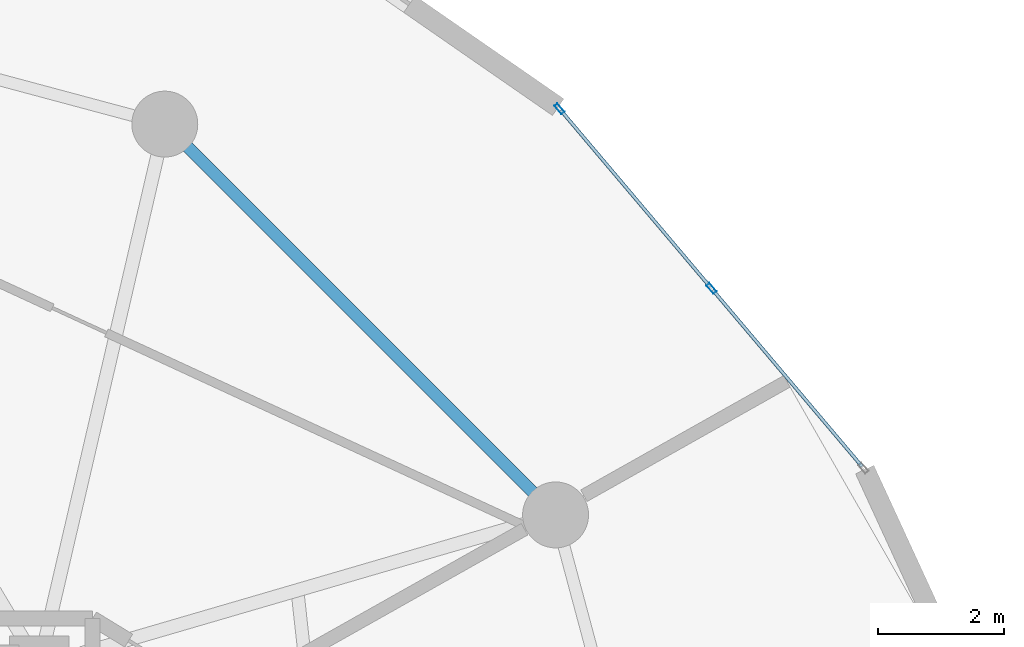
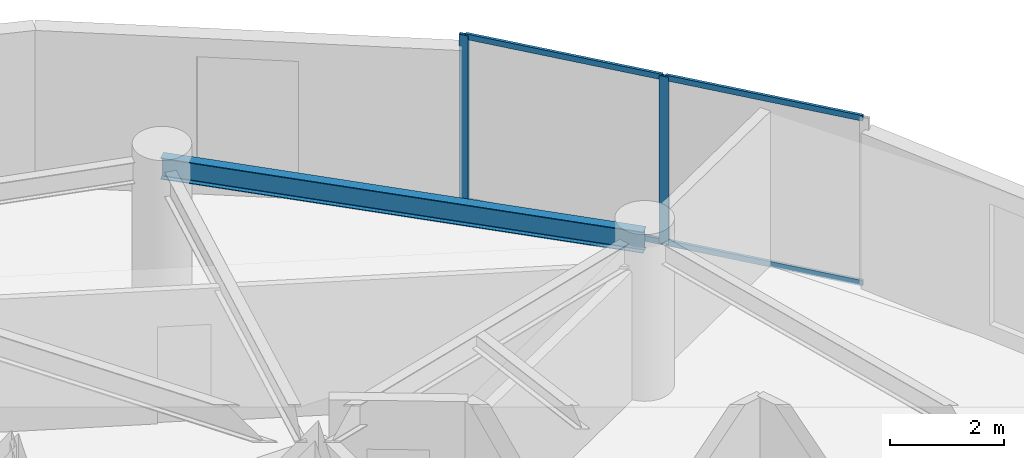
# One storey, part 16 of 23: 6 members, 1 beam, 1 element without a shape of its own.
"""IFC4 building model written with IfcOpenShell, lengths in metres."""

from ifc_helpers import new_model, si_unit, direction, frame, origin, origin_2d, place, context, subcontext, project, spatial, hollow_rectangle, i_section, extrude, source, transform, mapped, material, layer, layer_set, material_profile, profile_set, type_object, element, aggregate, save


model = new_model("IFC4")

# Units and contexts
model_context = context("Model", 3, precision=1e-05, world=origin(), true_north=direction((0.0, 1.0)))
body_context = subcontext(model_context, "Body", "Model", "MODEL_VIEW")
ifc_project = project(units=[si_unit("LENGTHUNIT", "METRE"), si_unit("AREAUNIT", "SQUARE_METRE"), si_unit("VOLUMEUNIT", "CUBIC_METRE"), si_unit("PLANEANGLEUNIT", "RADIAN"), si_unit("MASSUNIT", "GRAM", prefix="KILO")], contexts=[model_context])

# Site, building, storey
site_placement = place(None, origin())
site = spatial("IfcSite", under=ifc_project, at=site_placement, CompositionType="ELEMENT")
building_placement = place(site_placement, origin())
building = spatial("IfcBuilding", under=site, at=building_placement, Name="Solvirekh Grand Hotel", CompositionType="ELEMENT")
storey_placement = place(building_placement, frame((0.0, 0.0, 138.60009765625)))
storey = spatial("IfcBuildingStorey", under=building, at=storey_placement, Name="L35", CompositionType="ELEMENT", Elevation=138.60009765625)

# Beam
ifc_material_1 = material(Name="Steel S355", Category="steel")
ifc_material_profile_1 = material_profile(ifc_material_1, i_section(OverallWidth=0.18994140625, OverallDepth=0.45703125, WebThickness=0.009033203125, FlangeThickness=0.013916015625, FilletRadius=0.012939453125, at=origin_2d()), Name="W460X74")
ifc_profile_set_1 = profile_set([ifc_material_profile_1], Name="Steel S355")
beam_type = type_object("IfcBeamType", Name="Spandrel_Ring_W460", PredefinedType="SPANDREL", material=ifc_profile_set_1)
beam_placement = place(storey_placement, frame((14.721923828125, 8.5, 3.120849609375), z_axis=(-0.707106781187, 0.707106781187, 0.0), x_axis=(-0.707106781187, -0.707106781187, 0.0)))
element("IfcBeam", 1, at=beam_placement, inside=storey, type_object=beam_type, Name="L35 perimeter spandrel beam 2", PredefinedType="SPANDREL", context=body_context, shape_type="SweptSolid", body=[
    extrude(i_section(OverallWidth=0.18994140625, OverallDepth=0.45703125, WebThickness=0.009033203125, FlangeThickness=0.013916015625, FilletRadius=0.012939453125, at=origin_2d()), origin(), (0.0, 0.0, 1.0), 8.799072265625),
])

# Curtain wall, members
ifc_material_2 = material(Name="Anodized Bronze Aluminium 6063-T6", Category="aluminium")
ifc_layer = layer(ifc_material_2, 0.175048828125)
ifc_layer_set = layer_set([ifc_layer], Name="Anodized Bronze Aluminium 6063-T6")
curtain_wall_type = type_object("IfcCurtainWallType", Name="CW_Sys3_MidZoneFlushBronzeCW", PredefinedType="NOTDEFINED", material=ifc_layer_set)
curtain_wall_placement = place(storey_placement, origin())
curtain_wall = element("IfcCurtainWall", 2, at=curtain_wall_placement, inside=storey, type_object=curtain_wall_type, Name="L35 unitised bronze-glass curtain wall CW-L35-C05", PredefinedType="NOTDEFINED")
ifc_material_profile_2 = material_profile(ifc_material_2, hollow_rectangle(XDim=0.06494140625, YDim=0.175048828125, WallThickness=0.0048828125, at=origin_2d()), Name="ALU RHS 175X65X5")
ifc_profile_set_2 = profile_set([ifc_material_profile_2], Name="Anodized Bronze Aluminium 6063-T6")
member_type_1 = type_object("IfcMemberType", Name="CWMullion_Sys3", PredefinedType="MULLION", material=ifc_profile_set_2)
shared_shape_1 = source(origin(), body_context, "Body", "SweptSolid", [
    extrude(hollow_rectangle(XDim=0.06494140625, YDim=0.175048828125, WallThickness=0.0048828125, at=origin_2d()), origin(), (0.0, 0.0, 1.0), 3.599853515625),
])
member_1_placement = place(storey_placement, frame((17.20361328125, 12.1064453125, 0.0), z_axis=(0.0, 0.0, 1.0), x_axis=(-0.763526783353, -0.645776161764, 0.0)))
member_1 = element("IfcMember", 3, at=member_1_placement, type_object=member_type_1, Name="U03 mullion 2", PredefinedType="MULLION", context=body_context, shape_type="MappedRepresentation", body=[
    mapped(shared_shape_1, transform((0.0, 0.0, 0.0), x_axis=(1.0, 0.0, 0.0), y_axis=(0.0, 1.0, 0.0), z_axis=(0.0, 0.0, 1.0), scale=1.0)),
])
member_2_placement = place(storey_placement, frame((14.783935546875, 14.96728515625, 0.0), z_axis=(0.0, 0.0, 1.0), x_axis=(-0.763526783353, -0.645776161764, 0.0)))
member_2 = element("IfcMember", 4, at=member_2_placement, type_object=member_type_1, Name="U03 mullion 3", PredefinedType="MULLION", context=body_context, shape_type="MappedRepresentation", body=[
    mapped(shared_shape_1, transform((0.0, 0.0, 0.0), x_axis=(1.0, 0.0, 0.0), y_axis=(0.0, 1.0, 0.0), z_axis=(0.0, 0.0, 1.0), scale=1.0)),
])
ifc_material_profile_3 = material_profile(ifc_material_2, hollow_rectangle(XDim=0.054931640625, YDim=0.1201171875, WallThickness=0.00390625, at=origin_2d()), Name="ALU RHS 120X55X4")
ifc_profile_set_3 = profile_set([ifc_material_profile_3], Name="Anodized Bronze Aluminium 6063-T6")
member_type_2 = type_object("IfcMemberType", Name="CWTransom_Sys3", PredefinedType="USERDEFINED", material=ifc_profile_set_3)
shared_shape_2 = source(origin(), body_context, "Body", "SweptSolid", [
    extrude(hollow_rectangle(XDim=0.054931640625, YDim=0.1201171875, WallThickness=0.00390625, at=origin_2d()), origin(), (0.0, 0.0, 1.0), 3.681884765625),
])
member_3_placement = place(storey_placement, frame((19.60205078125, 9.2705078125, 0.02734375), z_axis=(-0.645731166623, 0.763564837098, 0.0), x_axis=(-0.763564837098, -0.645731166623, 0.0)))
member_3 = element("IfcMember", 5, at=member_3_placement, type_object=member_type_2, Name="U03 transom 1.1", ObjectType="TRANSOM", PredefinedType="USERDEFINED", context=body_context, shape_type="MappedRepresentation", body=[
    mapped(shared_shape_2, transform((0.0, 0.0, 0.0), x_axis=(1.0, 0.0, 0.0), y_axis=(0.0, 1.0, 0.0), z_axis=(0.0, 0.0, 1.0), scale=1.0)),
])
member_4_placement = place(storey_placement, frame((19.60205078125, 9.2705078125, 3.572509765625), z_axis=(-0.645731166623, 0.763564837098, 0.0), x_axis=(-0.763564837098, -0.645731166623, 0.0)))
member_4 = element("IfcMember", 6, at=member_4_placement, type_object=member_type_2, Name="U03 transom 1.2", ObjectType="TRANSOM", PredefinedType="USERDEFINED", context=body_context, shape_type="MappedRepresentation", body=[
    mapped(shared_shape_2, transform((0.0, 0.0, 0.0), x_axis=(1.0, 0.0, 0.0), y_axis=(0.0, 1.0, 0.0), z_axis=(0.0, 0.0, 1.0), scale=1.0)),
])
shared_shape_3 = source(origin(), body_context, "Body", "SweptSolid", [
    extrude(hollow_rectangle(XDim=0.054931640625, YDim=0.1201171875, WallThickness=0.00390625, at=origin_2d()), origin(), (0.0, 0.0, 1.0), 3.681640625),
])
member_5_placement = place(storey_placement, frame((17.1826171875, 12.13134765625, 0.02734375), z_axis=(-0.645802520298, 0.763504489035, 0.0), x_axis=(-0.763504489035, -0.645802520298, 0.0)))
member_5 = element("IfcMember", 7, at=member_5_placement, type_object=member_type_2, Name="U03 transom 2.1", ObjectType="TRANSOM", PredefinedType="USERDEFINED", context=body_context, shape_type="MappedRepresentation", body=[
    mapped(shared_shape_3, transform((0.0, 0.0, 0.0), x_axis=(1.0, 0.0, 0.0), y_axis=(0.0, 1.0, 0.0), z_axis=(0.0, 0.0, 1.0), scale=1.0)),
])
member_6_placement = place(storey_placement, frame((17.1826171875, 12.13134765625, 3.572509765625), z_axis=(-0.645802520298, 0.763504489035, 0.0), x_axis=(-0.763504489035, -0.645802520298, 0.0)))
member_6 = element("IfcMember", 8, at=member_6_placement, type_object=member_type_2, Name="U03 transom 2.2", ObjectType="TRANSOM", PredefinedType="USERDEFINED", context=body_context, shape_type="MappedRepresentation", body=[
    mapped(shared_shape_3, transform((0.0, 0.0, 0.0), x_axis=(1.0, 0.0, 0.0), y_axis=(0.0, 1.0, 0.0), z_axis=(0.0, 0.0, 1.0), scale=1.0)),
])
aggregate(curtain_wall, [member_1, member_2, member_3, member_4, member_5, member_6])

save(model, "model.ifc")
